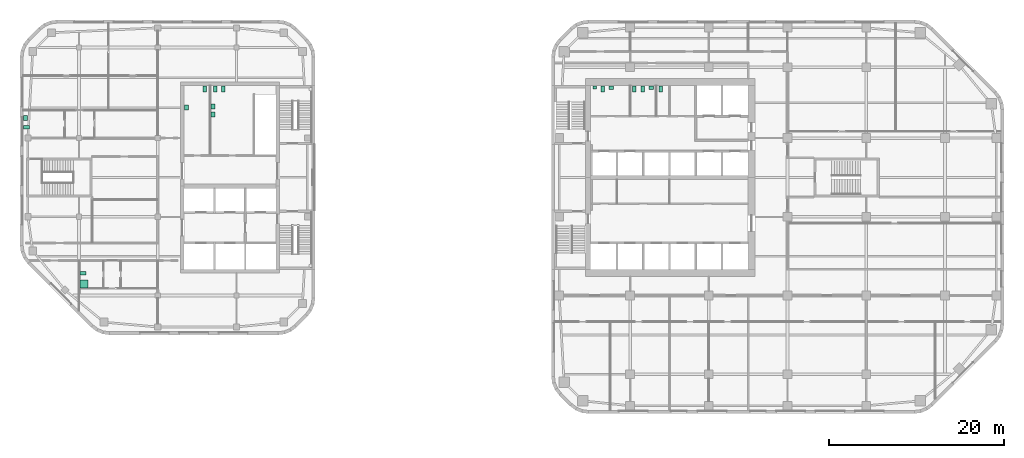
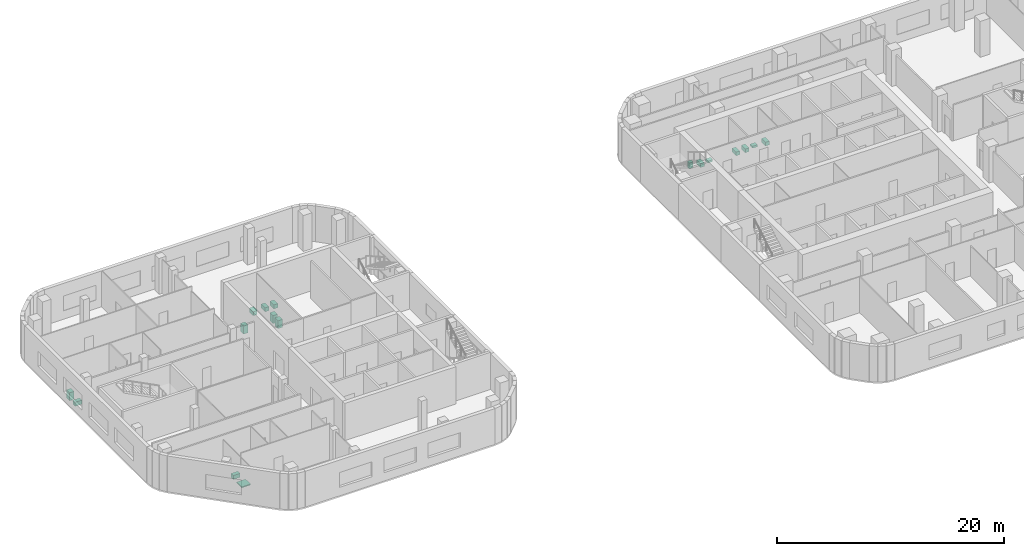
# One storey, part 15 of 15: 17 sanitary terminals.
"""IFC4 building model written with IfcOpenShell, lengths in metres."""

from ifc_helpers import new_model, si_unit, direction, frame, origin, origin_2d, place, context, subcontext, project, spatial, rectangle, extrude, material, type_object, element, save


model = new_model("IFC4")

# Units and contexts
model_context = context("Model", 3, precision=1e-05, world=origin(), true_north=direction((0.0, 1.0)))
body_context = subcontext(model_context, "Body", "Model", "MODEL_VIEW")
ifc_project = project(units=[si_unit("LENGTHUNIT", "METRE"), si_unit("AREAUNIT", "SQUARE_METRE"), si_unit("VOLUMEUNIT", "CUBIC_METRE"), si_unit("PLANEANGLEUNIT", "RADIAN"), si_unit("MASSUNIT", "GRAM", prefix="KILO")], contexts=[model_context])

# Site, building, storey
site_placement = place(None, origin())
site = spatial("IfcSite", under=ifc_project, at=site_placement, CompositionType="ELEMENT")
building_placement = place(site_placement, origin())
building = spatial("IfcBuilding", under=site, at=building_placement, Name="Cinnabar Reach Civic Tower", CompositionType="ELEMENT")
storey_placement = place(building_placement, frame((0.0, 0.0, 120.0)))
storey = spatial("IfcBuildingStorey", under=building, at=storey_placement, Name="L28", CompositionType="ELEMENT", Elevation=120.0)

# Sanitary terminals
ifc_material_1 = material(Name="Vitreous china")
sanitary_terminal_type_1 = type_object("IfcSanitaryTerminalType", Name="T1 WC pan", PredefinedType="TOILETPAN", material=ifc_material_1)
for number, where, z_axis, x_axis, name in (
    (1, (5.9, 41.6, 0.0), (0.0, 0.0, 1.0), (1.0, 0.0, 0.0), "T1 WC pan 2807-2"),
    (2, (9.5, 41.6, 0.0), (0.0, 0.0, 1.0), (1.0, 0.0, 0.0), "T1 WC pan 2808-1"),
    (3, (10.45, 41.6, 0.0), (0.0, 0.0, 1.0), (1.0, 0.0, 0.0), "T1 WC pan 2808-2"),
    (4, (12.5, 41.6, 0.0), (0.0, 0.0, 1.0), (1.0, 0.0, 0.0), "T1 WC pan 2809-1"),
):
    element("IfcSanitaryTerminal", number, at=place(storey_placement, frame(where, z_axis=z_axis, x_axis=x_axis)), inside=storey, type_object=sanitary_terminal_type_1, Name=name, PredefinedType="TOILETPAN", context=body_context, shape_type="SweptSolid", body=[
        extrude(rectangle(XDim=0.4, YDim=0.7, at=origin_2d()), origin(), (0.0, 0.0, 1.0), 0.4),
    ])
sanitary_terminal_type_2 = type_object("IfcSanitaryTerminalType", Name="T1 urinal", PredefinedType="URINAL", material=ifc_material_1)
sanitary_terminal_1_placement = place(storey_placement, frame((4.95, 41.775, 0.0), z_axis=(0.0, 0.0, 1.0), x_axis=(1.0, 0.0, 0.0)))
element("IfcSanitaryTerminal", 5, at=sanitary_terminal_1_placement, inside=storey, type_object=sanitary_terminal_type_2, Name="T1 urinal 2807-1", PredefinedType="URINAL", context=body_context, shape_type="SweptSolid", body=[
    extrude(rectangle(XDim=0.4, YDim=0.35, at=origin_2d()), origin(), (0.0, 0.0, 1.0), 0.6),
])
sanitary_terminal_type_3 = type_object("IfcSanitaryTerminalType", Name="T1 wash basin", PredefinedType="WASHHANDBASIN", material=ifc_material_1)
for number, where, z_axis, x_axis, name in (
    (6, (6.85, 41.74, 0.0), (0.0, 0.0, 1.0), (1.0, 0.0, 0.0), "T1 wash basin 2807-3"),
    (7, (11.4, 41.74, 0.0), (0.0, 0.0, 1.0), (1.0, 0.0, 0.0), "T1 wash basin 2808-3"),
):
    element("IfcSanitaryTerminal", number, at=place(storey_placement, frame(where, z_axis=z_axis, x_axis=x_axis)), inside=storey, type_object=sanitary_terminal_type_3, Name=name, PredefinedType="WASHHANDBASIN", context=body_context, shape_type="SweptSolid", body=[
        extrude(rectangle(XDim=0.5, YDim=0.42, at=origin_2d()), origin(), (0.0, 0.0, 1.0), 0.2),
    ])
ifc_material_2 = material(Name="Acrylic tray")
sanitary_terminal_type_4 = type_object("IfcSanitaryTerminalType", Name="T2 Shower tray", PredefinedType="SHOWER", material=ifc_material_2)
sanitary_terminal_2_placement = place(storey_placement, frame((-53.45, 19.3, 0.0), z_axis=(0.0, 0.0, 1.0), x_axis=(1.0, 0.0, 0.0)))
element("IfcSanitaryTerminal", 8, at=sanitary_terminal_2_placement, inside=storey, type_object=sanitary_terminal_type_4, Name="Shower tray", PredefinedType="SHOWER", context=body_context, shape_type="SweptSolid", body=[
    extrude(rectangle(XDim=0.9, YDim=0.9, at=origin_2d()), origin(), (0.0, 0.0, 1.0), 0.1),
])
sanitary_terminal_type_5 = type_object("IfcSanitaryTerminalType", Name="T2 WC pan", PredefinedType="TOILETPAN", material=ifc_material_1)
for number, where, z_axis, x_axis, name in (
    (9, (-39.6, 41.6, 0.0), (0.0, 0.0, 1.0), (1.0, 0.0, 0.0), "WC pan"),
    (10, (-38.4, 41.6, 0.0), (0.0, 0.0, 1.0), (1.0, 0.0, 0.0), "WC pan"),
    (11, (-37.5, 41.6, 0.0), (0.0, 0.0, 1.0), (1.0, 0.0, 0.0), "WC pan"),
):
    element("IfcSanitaryTerminal", number, at=place(storey_placement, frame(where, z_axis=z_axis, x_axis=x_axis)), inside=storey, type_object=sanitary_terminal_type_5, Name=name, PredefinedType="TOILETPAN", context=body_context, shape_type="SweptSolid", body=[
        extrude(rectangle(XDim=0.4, YDim=0.7, at=origin_2d()), origin(), (0.0, 0.0, 1.0), 0.42),
    ])
for number, where, z_axis, x_axis, name in (
    (12, (-53.55, 20.55, 0.0), (0.0, 0.0, 1.0), (1.0, 0.0, 0.0), "WC pan"),
    (13, (-59.99, 37.25, 0.0), (0.0, 0.0, 1.0), (1.0, 0.0, 0.0), "WC pan"),
):
    element("IfcSanitaryTerminal", number, at=place(storey_placement, frame(where, z_axis=z_axis, x_axis=x_axis)), inside=storey, type_object=sanitary_terminal_type_5, Name=name, PredefinedType="TOILETPAN", context=body_context, shape_type="SweptSolid", body=[
        extrude(rectangle(XDim=0.7, YDim=0.4, at=origin_2d()), origin(), (0.0, 0.0, 1.0), 0.42),
    ])
sanitary_terminal_type_6 = type_object("IfcSanitaryTerminalType", Name="T2 Wash basin", PredefinedType="WASHHANDBASIN", material=ifc_material_1)
for number, where, z_axis, x_axis, name in (
    (14, (-41.725, 39.5, 0.0), (0.0, 0.0, 1.0), (1.0, 0.0, 0.0), "Wash basin"),
    (15, (-38.675, 39.6, 0.0), (0.0, 0.0, 1.0), (1.0, 0.0, 0.0), "Wash basin"),
    (16, (-38.675, 38.7, 0.0), (0.0, 0.0, 1.0), (1.0, 0.0, 0.0), "Wash basin"),
    (17, (-60.115, 38.3, 0.0), (0.0, 0.0, 1.0), (1.0, 0.0, 0.0), "Wash basin"),
):
    element("IfcSanitaryTerminal", number, at=place(storey_placement, frame(where, z_axis=z_axis, x_axis=x_axis)), inside=storey, type_object=sanitary_terminal_type_6, Name=name, PredefinedType="WASHHANDBASIN", context=body_context, shape_type="SweptSolid", body=[
        extrude(rectangle(XDim=0.45, YDim=0.55, at=origin_2d()), origin(), (0.0, 0.0, 1.0), 0.85),
    ])

save(model, "model.ifc")
